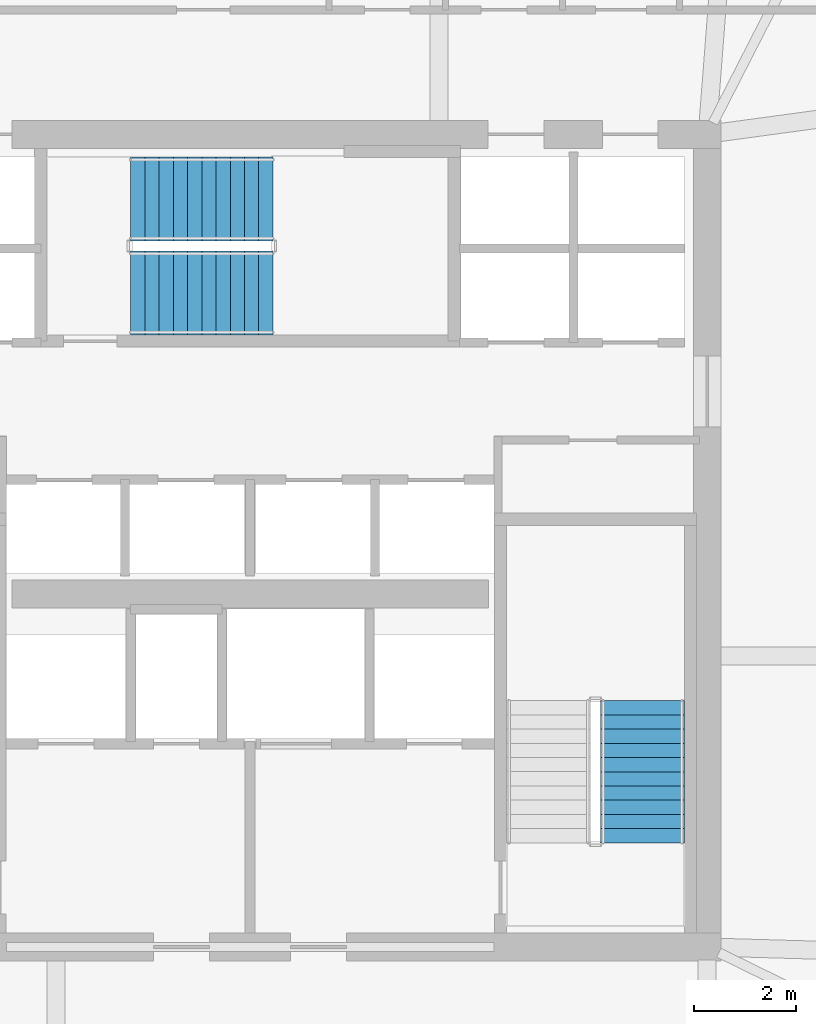
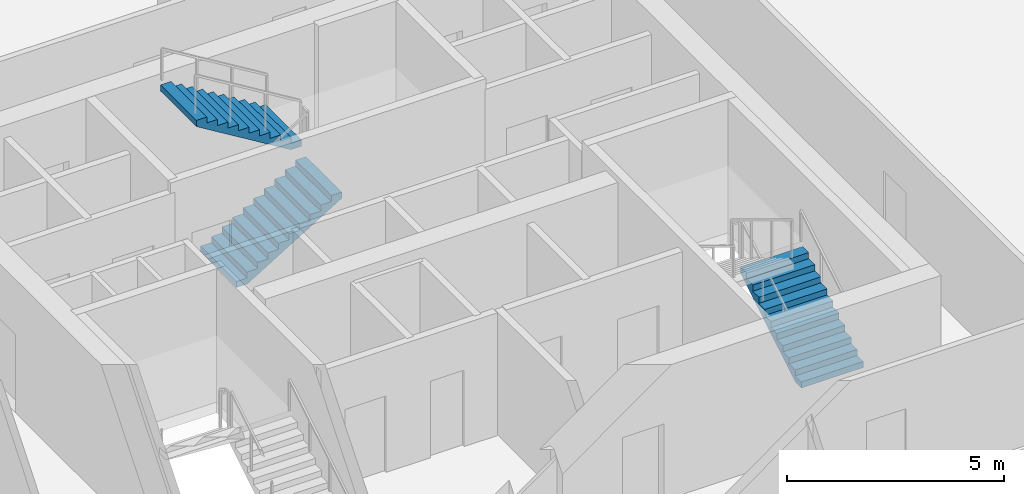
# One storey, part 32 of 37: 3 stair flights, 2 elements without a shape of their own.
"""IFC4 building model written with IfcOpenShell, lengths in metres."""

from ifc_helpers import new_model, si_unit, direction, frame, origin, place, context, subcontext, project, spatial, polyline, outline, extrude, material, type_object, element, aggregate, save


model = new_model("IFC4")

# Units and contexts
model_context = context("Model", 3, precision=1e-05, world=origin(), true_north=direction((0.0, 1.0)))
body_context = subcontext(model_context, "Body", "Model", "MODEL_VIEW")
ifc_project = project(units=[si_unit("LENGTHUNIT", "METRE"), si_unit("AREAUNIT", "SQUARE_METRE"), si_unit("VOLUMEUNIT", "CUBIC_METRE"), si_unit("PLANEANGLEUNIT", "RADIAN"), si_unit("MASSUNIT", "GRAM", prefix="KILO")], contexts=[model_context])

# Site, building, storey
site_placement = place(None, origin())
site = spatial("IfcSite", under=ifc_project, at=site_placement, CompositionType="ELEMENT")
building_placement = place(site_placement, origin())
building = spatial("IfcBuilding", under=site, at=building_placement, Name="Haldenkirk Collegiate Tower", CompositionType="ELEMENT")
storey_placement = place(building_placement, frame((0.0, 0.0, 97.949951171875)))
storey = spatial("IfcBuildingStorey", under=building, at=storey_placement, Name="L23", CompositionType="ELEMENT", Elevation=97.949951171875)

# Stair, stair flight
ifc_material = material(Name="Concrete f'c 40 MPa", Category="concrete")
stair_type = type_object("IfcStairType", Name="STR-DOGLEG-1650", PredefinedType="HALF_TURN_STAIR", material=ifc_material)
stair_1_placement = place(storey_placement, origin())
stair_1 = element("IfcStair", 1, at=stair_1_placement, inside=storey, type_object=stair_type, Name="L23 Core Exit Stair ST-2", PredefinedType="HALF_TURN_STAIR")
stair_flight_type = type_object("IfcStairFlightType", Name="STF-FLIGHT-1650", PredefinedType="STRAIGHT", material=ifc_material)
stair_flight_1_placement = place(storey_placement, frame((43.72509765625, 20.050048828125, 0.0), z_axis=(0.0, 0.0, 1.0), x_axis=(0.0, 1.0, 0.0)))
stair_flight_1 = element("IfcStairFlight", 2, at=stair_flight_1_placement, type_object=stair_flight_type, Name="ST-2 flight 1", NumberOfRisers=11, NumberOfTreads=10, PredefinedType="STRAIGHT", RiserHeight=0.170454545, TreadLength=0.28, context=body_context, shape_type="SweptSolid", body=[
    extrude(outline(polyline([(0.0, 0.0), (0.0, 0.17041015625), (0.280029296875, 0.17041015625), (0.280029296875, 0.3408203125), (0.56005859375, 0.3408203125), (0.56005859375, 0.511474609375), (0.840087890625, 0.511474609375), (0.840087890625, 0.681884765625), (1.1201171875, 0.681884765625), (1.1201171875, 0.852294921875), (1.39990234375, 0.852294921875), (1.39990234375, 1.022705078125), (1.679931640625, 1.022705078125), (1.679931640625, 1.193115234375), (1.9599609375, 1.193115234375), (1.9599609375, 1.363525390625), (2.239990234375, 1.363525390625), (2.239990234375, 1.5341796875), (2.52001953125, 1.5341796875), (2.52001953125, 1.70458984375), (2.800048828125, 1.70458984375), (2.800048828125, 1.875), (2.800048828125, 1.529052734375), (0.288330078125, 0.0), (0.0, 0.0)])), frame((0.0, 0.824951171875, 0.0), z_axis=(0.0, -1.0, 0.0), x_axis=(1.0, 0.0, 0.0)), (0.0, 0.0, 1.0), 1.64990234375),
])
aggregate(stair_1, [stair_flight_1])

# Stair, stair flights
stair_2_placement = place(storey_placement, origin())
stair_2 = element("IfcStair", 3, at=stair_2_placement, inside=storey, type_object=stair_type, Name="L23 Core Exit Stair ST-3", PredefinedType="HALF_TURN_STAIR")
stair_flight_2_placement = place(storey_placement, frame((33.64990234375, 30.875, 0.0), z_axis=(0.0, 0.0, 1.0), x_axis=(1.0, 0.0, 0.0)))
stair_flight_2 = element("IfcStairFlight", 4, at=stair_flight_2_placement, type_object=stair_flight_type, Name="ST-3 flight 1", NumberOfRisers=11, NumberOfTreads=10, PredefinedType="STRAIGHT", RiserHeight=0.170454545, TreadLength=0.28, context=body_context, shape_type="SweptSolid", body=[
    extrude(outline(polyline([(0.0, 0.0), (0.0, 0.17041015625), (0.280029296875, 0.17041015625), (0.280029296875, 0.3408203125), (0.56005859375, 0.3408203125), (0.56005859375, 0.511474609375), (0.840087890625, 0.511474609375), (0.840087890625, 0.681884765625), (1.1201171875, 0.681884765625), (1.1201171875, 0.852294921875), (1.39990234375, 0.852294921875), (1.39990234375, 1.022705078125), (1.679931640625, 1.022705078125), (1.679931640625, 1.193115234375), (1.9599609375, 1.193115234375), (1.9599609375, 1.363525390625), (2.239990234375, 1.363525390625), (2.239990234375, 1.5341796875), (2.52001953125, 1.5341796875), (2.52001953125, 1.70458984375), (2.800048828125, 1.70458984375), (2.800048828125, 1.875), (2.800048828125, 1.529052734375), (0.288330078125, 0.0), (0.0, 0.0)])), frame((0.0, 0.824951171875, 0.0), z_axis=(0.0, -1.0, 0.0), x_axis=(1.0, 0.0, 0.0)), (0.0, 0.0, 1.0), 1.64990234375),
])
stair_flight_3_placement = place(storey_placement, frame((36.449951171875, 32.72509765625, 1.875), z_axis=(0.0, 0.0, 1.0), x_axis=(-1.0, 0.0, 0.0)))
stair_flight_3 = element("IfcStairFlight", 5, at=stair_flight_3_placement, type_object=stair_flight_type, Name="ST-3 flight 2", NumberOfRisers=11, NumberOfTreads=10, PredefinedType="STRAIGHT", RiserHeight=0.170454545, TreadLength=0.28, context=body_context, shape_type="SweptSolid", body=[
    extrude(outline(polyline([(0.0, 0.0), (0.0, 0.17041015625), (0.280029296875, 0.17041015625), (0.280029296875, 0.3408203125), (0.56005859375, 0.3408203125), (0.56005859375, 0.511474609375), (0.840087890625, 0.511474609375), (0.840087890625, 0.681884765625), (1.1201171875, 0.681884765625), (1.1201171875, 0.852294921875), (1.39990234375, 0.852294921875), (1.39990234375, 1.022705078125), (1.679931640625, 1.022705078125), (1.679931640625, 1.193115234375), (1.9599609375, 1.193115234375), (1.9599609375, 1.363525390625), (2.239990234375, 1.363525390625), (2.239990234375, 1.5341796875), (2.52001953125, 1.5341796875), (2.52001953125, 1.70458984375), (2.800048828125, 1.70458984375), (2.800048828125, 1.875), (2.800048828125, 1.529052734375), (0.288330078125, 0.0), (0.0, 0.0)])), frame((0.0, 0.824951171875, 0.0), z_axis=(0.0, -1.0, 0.0), x_axis=(1.0, 0.0, 0.0)), (0.0, 0.0, 1.0), 1.64990234375),
])
aggregate(stair_2, [stair_flight_2, stair_flight_3])

save(model, "model.ifc")
